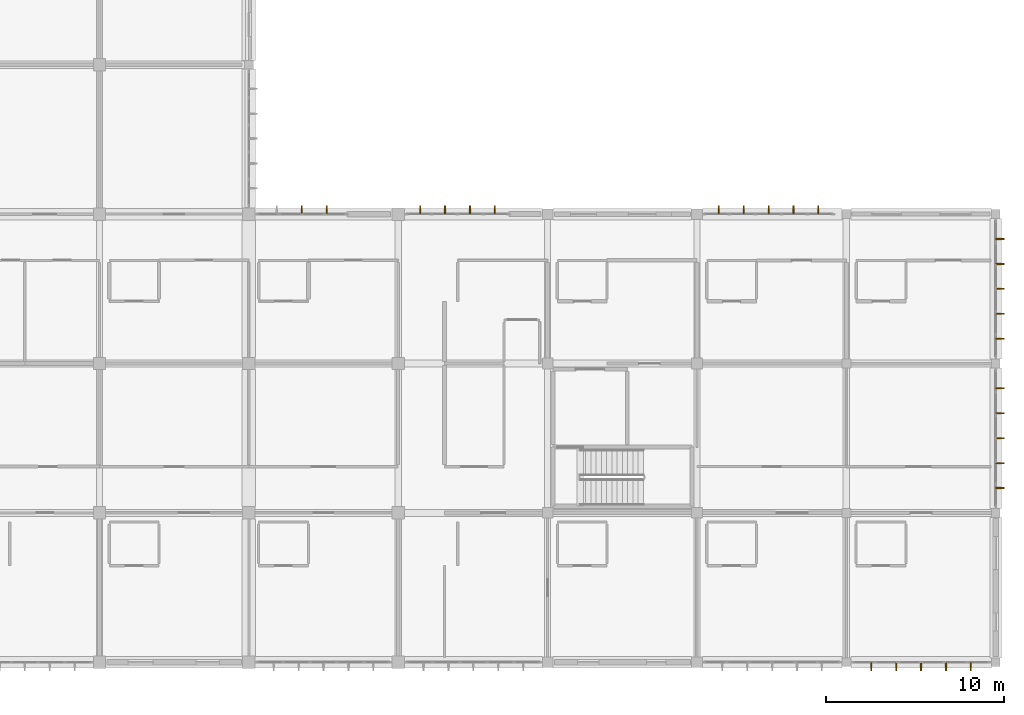
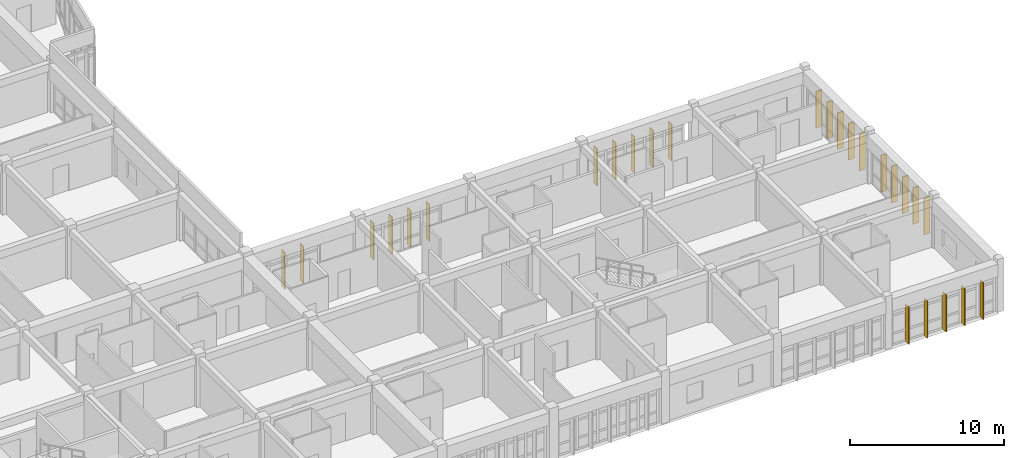
# One storey, part 116 of 119: 26 shading devices.
"""IFC4 building model written with IfcOpenShell, lengths in metres."""

import ifcopenshell
import ifcopenshell.guid

model = None  # the IFC model being written
_history = None  # IfcOwnerHistory: only IFC2X3 demands one
_inside = {}  # id of a spatial element -> (the spatial element, [elements in it])
_under = {}  # id of a project, library or spatial element -> (it, [spatial elements below it])
_declared = {}  # id of a project -> (the project, [libraries it declares])
_typed = {}  # id of a type object -> (the type object, [elements of that type])
_made_of = {}  # id of a material, layer set ... -> (it, [elements and type objects made of it])


def new_model(schema):
    """Start an empty IFC model of exactly this schema.

    Asked for "IFC4X3", IfcOpenShell would pick the latest addendum, in which some entities
    have other attributes; the version numbers below select the first issue.
    IFC2X3 requires an IfcOwnerHistory on every rooted entity: one is made here for all.
    """
    global model, _history
    if schema == "IFC4X3":
        model = ifcopenshell.file(schema_version=(4, 3, 0, 0))
    else:
        model = ifcopenshell.file(schema=schema)
    _inside.clear()
    _under.clear()
    _declared.clear()
    _typed.clear()
    _made_of.clear()
    _history = None
    if model.schema == "IFC2X3":
        org = make("IfcOrganization", Name="unknown")
        user = make(
            "IfcPersonAndOrganization",
            ThePerson=make("IfcPerson", FamilyName="unknown"),
            TheOrganization=org,
        )
        app = make(
            "IfcApplication",
            ApplicationDeveloper=org,
            Version="unknown",
            ApplicationFullName="unknown",
            ApplicationIdentifier="unknown",
        )
        _history = make(
            "IfcOwnerHistory",
            OwningUser=user,
            OwningApplication=app,
            ChangeAction="ADDED",
            CreationDate=0,
        )
    return model


def make(cls, **values):
    """One entity of the class cls with the attributes given. An attribute that is None is left unset."""
    return model.create_entity(
        cls, **{name: value for name, value in values.items() if value is not None}
    )


def rooted(cls, **values):
    """An entity with a GlobalId (a new one), such as an element, a storey or a relation."""
    return make(cls, GlobalId=ifcopenshell.guid.new(), OwnerHistory=_history, **values)


def si_unit(unit_type, name, prefix=None):
    """IfcSIUnit, for example si_unit("LENGTHUNIT", "METRE", prefix="MILLI")."""
    return make("IfcSIUnit", UnitType=unit_type, Prefix=prefix, Name=name)


def assignment(units):
    """IfcUnitAssignment: the units of a project."""
    return None if units is None else make("IfcUnitAssignment", Units=units)


def point(xyz):
    """IfcCartesianPoint."""
    return None if xyz is None else make("IfcCartesianPoint", Coordinates=xyz)


def direction(xyz):
    """IfcDirection."""
    return None if xyz is None else make("IfcDirection", DirectionRatios=xyz)


def frame(location, z_axis=None, x_axis=None):
    """IfcAxis2Placement3D, a coordinate frame: its origin and axes. An axis left out is left unset."""
    return make(
        "IfcAxis2Placement3D",
        Location=point(location),
        Axis=direction(z_axis),
        RefDirection=direction(x_axis),
    )


def frame_2d(location, x_axis=None):
    """IfcAxis2Placement2D, a coordinate frame in the plane: its origin and x axis."""
    return make(
        "IfcAxis2Placement2D", Location=point(location), RefDirection=direction(x_axis)
    )


def origin():
    """The frame at (0, 0, 0) with its axes left unset."""
    return frame((0.0, 0.0, 0.0))


def origin_2d():
    """The frame at (0, 0) in the plane with its x axis left unset."""
    return frame_2d((0.0, 0.0))


def place(relative_to, where):
    """IfcLocalPlacement: puts the frame where relative to a parent placement (None: the world)."""
    return make(
        "IfcLocalPlacement", PlacementRelTo=relative_to, RelativePlacement=where
    )


def context(
    kind, dimensions, precision=None, world=None, true_north=None, identifier=None
):
    """IfcGeometricRepresentationContext, for example the 3D "Model" context."""
    return make(
        "IfcGeometricRepresentationContext",
        ContextIdentifier=identifier,
        ContextType=kind,
        CoordinateSpaceDimension=dimensions,
        Precision=precision,
        WorldCoordinateSystem=world,
        TrueNorth=true_north,
    )


def subcontext(parent, identifier, kind, view, scale=None):
    """IfcGeometricRepresentationSubContext, for example "Body" below "Model"."""
    return make(
        "IfcGeometricRepresentationSubContext",
        ContextIdentifier=identifier,
        ContextType=kind,
        ParentContext=parent,
        TargetScale=scale,
        TargetView=view,
    )


def project(units=None, contexts=None):
    """IfcProject with its units and contexts."""
    return rooted(
        "IfcProject",
        Name="project",
        RepresentationContexts=contexts,
        UnitsInContext=assignment(units),
    )


def spatial(cls, under=None, at=None, **own):
    """A site, building, storey or space (cls), placed at a placement, below another one or the project."""
    s = rooted(cls, ObjectPlacement=at, **own)
    if under is not None:
        _under.setdefault(under.id(), (under, []))[1].append(s)
    return s


def profile(cls, at=None, kind="AREA", **sizes):
    """A parametric profile (cls). Its sizes go by their IFC names, for example OverallWidth=200.0."""
    return make(cls, ProfileType=kind, Position=at, **sizes)


def rectangle(**sizes):
    """IfcRectangleProfileDef."""
    return profile("IfcRectangleProfileDef", **sizes)


def extrude(swept, where, along, depth):
    """IfcExtrudedAreaSolid: the profile swept, set in the frame where, extruded along a direction by depth."""
    return make(
        "IfcExtrudedAreaSolid",
        SweptArea=swept,
        Position=where,
        ExtrudedDirection=direction(along),
        Depth=depth,
    )


def shape(context_of_items, identifier, shape_type, items):
    """IfcShapeRepresentation: the items that make up one representation, for example the "Body"."""
    return make(
        "IfcShapeRepresentation",
        ContextOfItems=context_of_items,
        RepresentationIdentifier=identifier,
        RepresentationType=shape_type,
        Items=items,
    )


def material(Name=None, Category=None):
    """IfcMaterial."""
    return make("IfcMaterial", Name=Name, Category=Category)


def material_profile(
    of_material, cross_section, Name=None, Category=None, Priority=None
):
    """IfcMaterialProfile: a cross section and its material."""
    return make(
        "IfcMaterialProfile",
        Name=Name,
        Material=of_material,
        Profile=cross_section,
        Priority=Priority,
        Category=Category,
    )


def profile_set(profiles, Name=None, composite=None):
    """IfcMaterialProfileSet."""
    return make(
        "IfcMaterialProfileSet",
        Name=Name,
        MaterialProfiles=profiles,
        CompositeProfile=composite,
    )


def made_of(thing, what):
    """Note that an element or type object is made of a material, layer set ...; save() writes the relation."""
    if what is not None:
        _made_of.setdefault(what.id(), (what, []))[1].append(thing)
    return thing


def type_object(cls, material=None, **own):
    """A type object (cls), such as IfcWallType, which elements share."""
    return made_of(rooted(cls, **own), material)


def element(
    cls,
    number,
    at=None,
    inside=None,
    cuts=None,
    type_object=None,
    material=None,
    context=None,
    identifier="Body",
    shape_type=None,
    held_by="IfcProductDefinitionShape",
    body=None,
    shapes=None,
    **own,
):
    """One element of the class cls, such as IfcWall. Its Tag is "e" and its number.

    at: its placement. inside: the storey or other place that contains it. cuts: it is an
    opening in that element (IfcRelVoidsElement). A single representation is given by context,
    identifier, shape_type and body (its items); several are given by shapes. held_by: the class
    of the entity that holds the representations. save() writes the other relations.
    """
    e = rooted(cls, Tag="e%d" % number, ObjectPlacement=at, **own)
    if body is not None:
        shapes = [shape(context, identifier, shape_type, body)]
    if shapes is not None:
        e.Representation = make(held_by, Representations=shapes)
    if inside is not None:
        _inside.setdefault(inside.id(), (inside, []))[1].append(e)
    if cuts is not None:
        rooted(
            "IfcRelVoidsElement", RelatingBuildingElement=cuts, RelatedOpeningElement=e
        )
    if type_object is not None:
        _typed.setdefault(type_object.id(), (type_object, []))[1].append(e)
    return made_of(e, material)


def aggregate(whole, parts):
    """IfcRelAggregates: a whole, such as a stair, and the parts it consists of."""
    return rooted("IfcRelAggregates", RelatingObject=whole, RelatedObjects=parts)


def save(model, path):
    """Write the relations noted so far, then the file.

    IfcRelAggregates (storeys below a building ...), IfcRelContainedInSpatialStructure (elements
    in a storey), IfcRelDefinesByType, IfcRelAssociatesMaterial and IfcRelDeclares: one each for
    every whole, place, type object, material and project.
    """
    for whole, parts in _under.values():
        aggregate(whole, parts)
    for where, things in _inside.values():
        rooted(
            "IfcRelContainedInSpatialStructure",
            RelatedElements=things,
            RelatingStructure=where,
        )
    for kind, things in _typed.values():
        rooted("IfcRelDefinesByType", RelatedObjects=things, RelatingType=kind)
    for what, things in _made_of.values():
        rooted("IfcRelAssociatesMaterial", RelatedObjects=things, RelatingMaterial=what)
    for by, libraries in _declared.values():
        rooted("IfcRelDeclares", RelatingContext=by, RelatedDefinitions=libraries)
    model.write(path)


model = new_model("IFC4")

# Units and contexts
model_context = context("Model", 3, precision=1e-05, world=origin(), true_north=direction((0.0, 1.0)))
body_context = subcontext(model_context, "Body", "Model", "MODEL_VIEW")
ifc_project = project(units=[si_unit("LENGTHUNIT", "METRE"), si_unit("AREAUNIT", "SQUARE_METRE"), si_unit("VOLUMEUNIT", "CUBIC_METRE"), si_unit("PLANEANGLEUNIT", "RADIAN"), si_unit("MASSUNIT", "GRAM", prefix="KILO")], contexts=[model_context])

# Site, building, storey
site_placement = place(None, origin())
site = spatial("IfcSite", under=ifc_project, at=site_placement, CompositionType="ELEMENT")
building_placement = place(site_placement, origin())
building = spatial("IfcBuilding", under=site, at=building_placement, Name="Bramfleet General Hospital", CompositionType="ELEMENT")
storey_placement = place(building_placement, frame((0.0, 0.0, 14.39990234375)))
storey = spatial("IfcBuildingStorey", under=building, at=storey_placement, Name="L03", CompositionType="ELEMENT", Elevation=14.39990234375)

# Shading devices
ifc_material = material(Name="Treated European larch timber", Category="wood")
ifc_material_profile = material_profile(ifc_material, rectangle(XDim=0.06494140625, YDim=0.449951171875, at=origin_2d()), Name="LARCH FIN 450x65")
ifc_profile_set = profile_set([ifc_material_profile], Name="Treated European larch timber")
shading_device_type = type_object("IfcShadingDeviceType", Name="SHD-FIN-450", PredefinedType="USERDEFINED", material=ifc_profile_set)
for number, where, z_axis, x_axis, name in (
    (1, (128.972900390625, 25.43994140625, -0.02001953125), (0.0, 0.0, 1.0), (1.0, 0.0, 0.0), "L03 Larch Timber Shading Fin 606"),
    (2, (130.373046875, 25.43994140625, -0.02001953125), (0.0, 0.0, 1.0), (1.0, 0.0, 0.0), "L03 Larch Timber Shading Fin 607"),
    (3, (135.633056640625, 25.43994140625, -0.02001953125), (0.0, 0.0, 1.0), (1.0, 0.0, 0.0), "L03 Larch Timber Shading Fin 608"),
    (4, (137.032958984375, 25.43994140625, -0.02001953125), (0.0, 0.0, 1.0), (1.0, 0.0, 0.0), "L03 Larch Timber Shading Fin 609"),
    (5, (138.43310546875, 25.43994140625, -0.02001953125), (0.0, 0.0, 1.0), (1.0, 0.0, 0.0), "L03 Larch Timber Shading Fin 610"),
    (6, (139.8330078125, 25.43994140625, -0.02001953125), (0.0, 0.0, 1.0), (1.0, 0.0, 0.0), "L03 Larch Timber Shading Fin 611"),
    (7, (152.427490234375, 25.43994140625, -0.02001953125), (0.0, 0.0, 1.0), (1.0, 0.0, 0.0), "L03 Larch Timber Shading Fin 612"),
    (8, (153.827392578125, 25.43994140625, -0.02001953125), (0.0, 0.0, 1.0), (1.0, 0.0, 0.0), "L03 Larch Timber Shading Fin 613"),
    (9, (155.2275390625, 25.43994140625, -0.02001953125), (0.0, 0.0, 1.0), (1.0, 0.0, 0.0), "L03 Larch Timber Shading Fin 614"),
    (10, (156.62744140625, 25.43994140625, -0.02001953125), (0.0, 0.0, 1.0), (1.0, 0.0, 0.0), "L03 Larch Timber Shading Fin 615"),
    (11, (158.027587890625, 25.43994140625, -0.02001953125), (0.0, 0.0, 1.0), (1.0, 0.0, 0.0), "L03 Larch Timber Shading Fin 616"),
    (12, (168.239990234375, 23.800048828125, -0.02001953125), (0.0, 0.0, 1.0), (0.0, -1.0, 0.0), "L03 Larch Timber Shading Fin 617"),
    (13, (168.239990234375, 22.39990234375, -0.02001953125), (0.0, 0.0, 1.0), (0.0, -1.0, 0.0), "L03 Larch Timber Shading Fin 618"),
    (14, (168.239990234375, 21.0, -0.02001953125), (0.0, 0.0, 1.0), (0.0, -1.0, 0.0), "L03 Larch Timber Shading Fin 619"),
    (15, (168.239990234375, 19.60009765625, -0.02001953125), (0.0, 0.0, 1.0), (0.0, -1.0, 0.0), "L03 Larch Timber Shading Fin 620"),
    (16, (168.239990234375, 18.199951171875, -0.02001953125), (0.0, 0.0, 1.0), (0.0, -1.0, 0.0), "L03 Larch Timber Shading Fin 621"),
    (17, (168.239990234375, 15.39990234375, -0.02001953125), (0.0, 0.0, 1.0), (0.0, -1.0, 0.0), "L03 Larch Timber Shading Fin 622"),
    (18, (168.239990234375, 14.0, -0.02001953125), (0.0, 0.0, 1.0), (0.0, -1.0, 0.0), "L03 Larch Timber Shading Fin 623"),
    (19, (168.239990234375, 12.60009765625, -0.02001953125), (0.0, 0.0, 1.0), (0.0, -1.0, 0.0), "L03 Larch Timber Shading Fin 624"),
    (20, (168.239990234375, 11.199951171875, -0.02001953125), (0.0, 0.0, 1.0), (0.0, -1.0, 0.0), "L03 Larch Timber Shading Fin 625"),
    (21, (168.239990234375, 9.800048828125, -0.02001953125), (0.0, 0.0, 1.0), (0.0, -1.0, 0.0), "L03 Larch Timber Shading Fin 626"),
    (22, (166.60009765625, -0.239990234375, -0.02001953125), (0.0, 0.0, 1.0), (-1.0, 0.0, 0.0), "L03 Larch Timber Shading Fin 627"),
    (23, (165.199951171875, -0.239990234375, -0.02001953125), (0.0, 0.0, 1.0), (-1.0, 0.0, 0.0), "L03 Larch Timber Shading Fin 628"),
    (24, (163.800048828125, -0.239990234375, -0.02001953125), (0.0, 0.0, 1.0), (-1.0, 0.0, 0.0), "L03 Larch Timber Shading Fin 629"),
    (25, (162.39990234375, -0.239990234375, -0.02001953125), (0.0, 0.0, 1.0), (-1.0, 0.0, 0.0), "L03 Larch Timber Shading Fin 630"),
    (26, (161.0, -0.239990234375, -0.02001953125), (0.0, 0.0, 1.0), (-1.0, 0.0, 0.0), "L03 Larch Timber Shading Fin 631"),
):
    element("IfcShadingDevice", number, at=place(storey_placement, frame(where, z_axis=z_axis, x_axis=x_axis)), inside=storey, type_object=shading_device_type, Name=name, ObjectType="Fin", PredefinedType="USERDEFINED", context=body_context, shape_type="SweptSolid", body=[
        extrude(rectangle(XDim=0.06494140625, YDim=0.449951171875, at=origin_2d()), origin(), (0.0, 0.0, 1.0), 2.920166015625),
    ])

save(model, "model.ifc")
